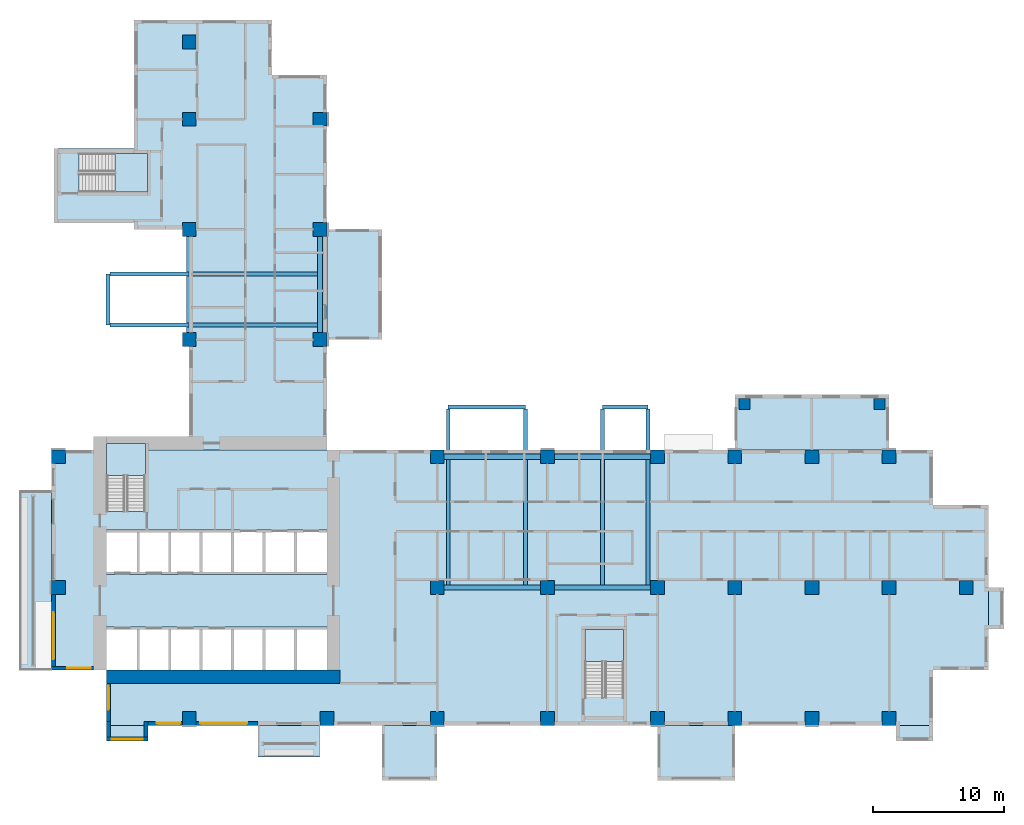
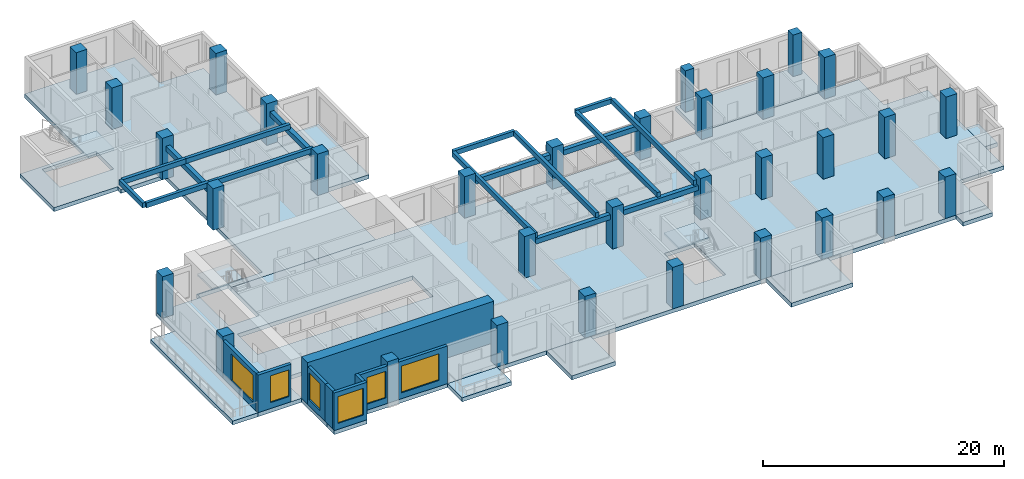
# One storey, part 1 of 14: 32 columns, 17 beams, 14 slabs, 9 walls, 6 windows, 6 openings, 3 elements without a shape of their own.
"""IFC4 building model written with IfcOpenShell, lengths in metres."""

import ifcopenshell
import ifcopenshell.guid

model = None  # the IFC model being written
_history = None  # IfcOwnerHistory: only IFC2X3 demands one
_inside = {}  # id of a spatial element -> (the spatial element, [elements in it])
_under = {}  # id of a project, library or spatial element -> (it, [spatial elements below it])
_declared = {}  # id of a project -> (the project, [libraries it declares])
_typed = {}  # id of a type object -> (the type object, [elements of that type])
_made_of = {}  # id of a material, layer set ... -> (it, [elements and type objects made of it])


def new_model(schema):
    """Start an empty IFC model of exactly this schema.

    Asked for "IFC4X3", IfcOpenShell would pick the latest addendum, in which some entities
    have other attributes; the version numbers below select the first issue.
    IFC2X3 requires an IfcOwnerHistory on every rooted entity: one is made here for all.
    """
    global model, _history
    if schema == "IFC4X3":
        model = ifcopenshell.file(schema_version=(4, 3, 0, 0))
    else:
        model = ifcopenshell.file(schema=schema)
    _inside.clear()
    _under.clear()
    _declared.clear()
    _typed.clear()
    _made_of.clear()
    _history = None
    if model.schema == "IFC2X3":
        org = make("IfcOrganization", Name="unknown")
        user = make(
            "IfcPersonAndOrganization",
            ThePerson=make("IfcPerson", FamilyName="unknown"),
            TheOrganization=org,
        )
        app = make(
            "IfcApplication",
            ApplicationDeveloper=org,
            Version="unknown",
            ApplicationFullName="unknown",
            ApplicationIdentifier="unknown",
        )
        _history = make(
            "IfcOwnerHistory",
            OwningUser=user,
            OwningApplication=app,
            ChangeAction="ADDED",
            CreationDate=0,
        )
    return model


def make(cls, **values):
    """One entity of the class cls with the attributes given. An attribute that is None is left unset."""
    return model.create_entity(
        cls, **{name: value for name, value in values.items() if value is not None}
    )


def rooted(cls, **values):
    """An entity with a GlobalId (a new one), such as an element, a storey or a relation."""
    return make(cls, GlobalId=ifcopenshell.guid.new(), OwnerHistory=_history, **values)


def si_unit(unit_type, name, prefix=None):
    """IfcSIUnit, for example si_unit("LENGTHUNIT", "METRE", prefix="MILLI")."""
    return make("IfcSIUnit", UnitType=unit_type, Prefix=prefix, Name=name)


def assignment(units):
    """IfcUnitAssignment: the units of a project."""
    return None if units is None else make("IfcUnitAssignment", Units=units)


def point(xyz):
    """IfcCartesianPoint."""
    return None if xyz is None else make("IfcCartesianPoint", Coordinates=xyz)


def direction(xyz):
    """IfcDirection."""
    return None if xyz is None else make("IfcDirection", DirectionRatios=xyz)


def frame(location, z_axis=None, x_axis=None):
    """IfcAxis2Placement3D, a coordinate frame: its origin and axes. An axis left out is left unset."""
    return make(
        "IfcAxis2Placement3D",
        Location=point(location),
        Axis=direction(z_axis),
        RefDirection=direction(x_axis),
    )


def frame_2d(location, x_axis=None):
    """IfcAxis2Placement2D, a coordinate frame in the plane: its origin and x axis."""
    return make(
        "IfcAxis2Placement2D", Location=point(location), RefDirection=direction(x_axis)
    )


def origin():
    """The frame at (0, 0, 0) with its axes left unset."""
    return frame((0.0, 0.0, 0.0))


def origin_2d():
    """The frame at (0, 0) in the plane with its x axis left unset."""
    return frame_2d((0.0, 0.0))


def place(relative_to, where):
    """IfcLocalPlacement: puts the frame where relative to a parent placement (None: the world)."""
    return make(
        "IfcLocalPlacement", PlacementRelTo=relative_to, RelativePlacement=where
    )


def context(
    kind, dimensions, precision=None, world=None, true_north=None, identifier=None
):
    """IfcGeometricRepresentationContext, for example the 3D "Model" context."""
    return make(
        "IfcGeometricRepresentationContext",
        ContextIdentifier=identifier,
        ContextType=kind,
        CoordinateSpaceDimension=dimensions,
        Precision=precision,
        WorldCoordinateSystem=world,
        TrueNorth=true_north,
    )


def subcontext(parent, identifier, kind, view, scale=None):
    """IfcGeometricRepresentationSubContext, for example "Body" below "Model"."""
    return make(
        "IfcGeometricRepresentationSubContext",
        ContextIdentifier=identifier,
        ContextType=kind,
        ParentContext=parent,
        TargetScale=scale,
        TargetView=view,
    )


def project(units=None, contexts=None):
    """IfcProject with its units and contexts."""
    return rooted(
        "IfcProject",
        Name="project",
        RepresentationContexts=contexts,
        UnitsInContext=assignment(units),
    )


def spatial(cls, under=None, at=None, **own):
    """A site, building, storey or space (cls), placed at a placement, below another one or the project."""
    s = rooted(cls, ObjectPlacement=at, **own)
    if under is not None:
        _under.setdefault(under.id(), (under, []))[1].append(s)
    return s


def polyline(points):
    """IfcPolyline through the points."""
    return make("IfcPolyline", Points=[point(p) for p in points])


def profile(cls, at=None, kind="AREA", **sizes):
    """A parametric profile (cls). Its sizes go by their IFC names, for example OverallWidth=200.0."""
    return make(cls, ProfileType=kind, Position=at, **sizes)


def rectangle(**sizes):
    """IfcRectangleProfileDef."""
    return profile("IfcRectangleProfileDef", **sizes)


def outline(outer, holes=None, kind="AREA"):
    """IfcArbitraryClosedProfileDef: a profile drawn as a closed curve; with holes, ...WithVoids."""
    if holes is None:
        return make("IfcArbitraryClosedProfileDef", ProfileType=kind, OuterCurve=outer)
    return make(
        "IfcArbitraryProfileDefWithVoids",
        ProfileType=kind,
        OuterCurve=outer,
        InnerCurves=holes,
    )


def extrude(swept, where, along, depth):
    """IfcExtrudedAreaSolid: the profile swept, set in the frame where, extruded along a direction by depth."""
    return make(
        "IfcExtrudedAreaSolid",
        SweptArea=swept,
        Position=where,
        ExtrudedDirection=direction(along),
        Depth=depth,
    )


def shape(context_of_items, identifier, shape_type, items):
    """IfcShapeRepresentation: the items that make up one representation, for example the "Body"."""
    return make(
        "IfcShapeRepresentation",
        ContextOfItems=context_of_items,
        RepresentationIdentifier=identifier,
        RepresentationType=shape_type,
        Items=items,
    )


def source(mapping_origin, context_of_items, identifier, shape_type, items):
    """IfcRepresentationMap: a shape defined once, which mapped items show again and again."""
    return make(
        "IfcRepresentationMap",
        MappingOrigin=mapping_origin,
        MappedRepresentation=shape(context_of_items, identifier, shape_type, items),
    )


def transform(
    local_origin,
    x_axis=None,
    y_axis=None,
    z_axis=None,
    scale=None,
    scale2=None,
    scale3=None,
    uniform=True,
):
    """IfcCartesianTransformationOperator3D, or its non-uniform kind. x_axis, y_axis, z_axis: its Axis1, 2, 3."""
    if uniform:
        return make(
            "IfcCartesianTransformationOperator3D",
            Axis1=direction(x_axis),
            Axis2=direction(y_axis),
            LocalOrigin=point(local_origin),
            Scale=scale,
            Axis3=direction(z_axis),
        )
    return make(
        "IfcCartesianTransformationOperator3DnonUniform",
        Axis1=direction(x_axis),
        Axis2=direction(y_axis),
        LocalOrigin=point(local_origin),
        Scale=scale,
        Axis3=direction(z_axis),
        Scale2=scale2,
        Scale3=scale3,
    )


def mapped(mapping_source, mapping_target):
    """IfcMappedItem: shows the shape of a source again, moved by a transform."""
    return make(
        "IfcMappedItem", MappingSource=mapping_source, MappingTarget=mapping_target
    )


def material(Name=None, Category=None):
    """IfcMaterial."""
    return make("IfcMaterial", Name=Name, Category=Category)


def layer(
    of_material, thickness, ventilated=None, Name=None, Category=None, Priority=None
):
    """IfcMaterialLayer: one layer of a wall or slab, of a material (None: an air gap)."""
    return make(
        "IfcMaterialLayer",
        Material=of_material,
        LayerThickness=thickness,
        IsVentilated=ventilated,
        Name=Name,
        Category=Category,
        Priority=Priority,
    )


def layer_set(layers, Name=None):
    """IfcMaterialLayerSet."""
    return make("IfcMaterialLayerSet", MaterialLayers=layers, LayerSetName=Name)


def material_profile(
    of_material, cross_section, Name=None, Category=None, Priority=None
):
    """IfcMaterialProfile: a cross section and its material."""
    return make(
        "IfcMaterialProfile",
        Name=Name,
        Material=of_material,
        Profile=cross_section,
        Priority=Priority,
        Category=Category,
    )


def profile_set(profiles, Name=None, composite=None):
    """IfcMaterialProfileSet."""
    return make(
        "IfcMaterialProfileSet",
        Name=Name,
        MaterialProfiles=profiles,
        CompositeProfile=composite,
    )


def made_of(thing, what):
    """Note that an element or type object is made of a material, layer set ...; save() writes the relation."""
    if what is not None:
        _made_of.setdefault(what.id(), (what, []))[1].append(thing)
    return thing


def type_object(cls, material=None, **own):
    """A type object (cls), such as IfcWallType, which elements share."""
    return made_of(rooted(cls, **own), material)


def element(
    cls,
    number,
    at=None,
    inside=None,
    cuts=None,
    type_object=None,
    material=None,
    context=None,
    identifier="Body",
    shape_type=None,
    held_by="IfcProductDefinitionShape",
    body=None,
    shapes=None,
    **own,
):
    """One element of the class cls, such as IfcWall. Its Tag is "e" and its number.

    at: its placement. inside: the storey or other place that contains it. cuts: it is an
    opening in that element (IfcRelVoidsElement). A single representation is given by context,
    identifier, shape_type and body (its items); several are given by shapes. held_by: the class
    of the entity that holds the representations. save() writes the other relations.
    """
    e = rooted(cls, Tag="e%d" % number, ObjectPlacement=at, **own)
    if body is not None:
        shapes = [shape(context, identifier, shape_type, body)]
    if shapes is not None:
        e.Representation = make(held_by, Representations=shapes)
    if inside is not None:
        _inside.setdefault(inside.id(), (inside, []))[1].append(e)
    if cuts is not None:
        rooted(
            "IfcRelVoidsElement", RelatingBuildingElement=cuts, RelatedOpeningElement=e
        )
    if type_object is not None:
        _typed.setdefault(type_object.id(), (type_object, []))[1].append(e)
    return made_of(e, material)


def fill(opening, filler):
    """IfcRelFillsElement: the door or window that sits in an opening."""
    return rooted(
        "IfcRelFillsElement",
        RelatingOpeningElement=opening,
        RelatedBuildingElement=filler,
    )


def aggregate(whole, parts):
    """IfcRelAggregates: a whole, such as a stair, and the parts it consists of."""
    return rooted("IfcRelAggregates", RelatingObject=whole, RelatedObjects=parts)


def save(model, path):
    """Write the relations noted so far, then the file.

    IfcRelAggregates (storeys below a building ...), IfcRelContainedInSpatialStructure (elements
    in a storey), IfcRelDefinesByType, IfcRelAssociatesMaterial and IfcRelDeclares: one each for
    every whole, place, type object, material and project.
    """
    for whole, parts in _under.values():
        aggregate(whole, parts)
    for where, things in _inside.values():
        rooted(
            "IfcRelContainedInSpatialStructure",
            RelatedElements=things,
            RelatingStructure=where,
        )
    for kind, things in _typed.values():
        rooted("IfcRelDefinesByType", RelatedObjects=things, RelatingType=kind)
    for what, things in _made_of.values():
        rooted("IfcRelAssociatesMaterial", RelatedObjects=things, RelatingMaterial=what)
    for by, libraries in _declared.values():
        rooted("IfcRelDeclares", RelatingContext=by, RelatedDefinitions=libraries)
    model.write(path)


model = new_model("IFC4")

# Units and contexts
model_context = context("Model", 3, precision=1e-05, world=origin(), true_north=direction((0.0, 1.0)))
body_context = subcontext(model_context, "Body", "Model", "MODEL_VIEW")
ifc_project = project(units=[si_unit("LENGTHUNIT", "METRE"), si_unit("AREAUNIT", "SQUARE_METRE"), si_unit("VOLUMEUNIT", "CUBIC_METRE"), si_unit("PLANEANGLEUNIT", "RADIAN"), si_unit("MASSUNIT", "GRAM", prefix="KILO")], contexts=[model_context])

# Site, building, storey
site_placement = place(None, origin())
site = spatial("IfcSite", under=ifc_project, at=site_placement, CompositionType="ELEMENT")
building_placement = place(site_placement, origin())
building = spatial("IfcBuilding", under=site, at=building_placement, Name="Aurelian Terraces", CompositionType="ELEMENT")
storey_placement = place(building_placement, frame((0.0, 0.0, 132.9)))
storey = spatial("IfcBuildingStorey", under=building, at=storey_placement, Name="L29", CompositionType="ELEMENT", Elevation=132.9)

# Columns
ifc_material_1 = material(Name="Concrete fc' 83 MPa", Category="concrete")
ifc_material_profile_1 = material_profile(ifc_material_1, rectangle(XDim=1.05, YDim=1.05, at=origin_2d()))
ifc_profile_set_1 = profile_set([ifc_material_profile_1], Name="Concrete fc' 83 MPa")
column_type_1 = type_object("IfcColumnType", Name="RC COLUMN 1050X1050 FC83", PredefinedType="COLUMN", material=ifc_profile_set_1)
shared_shape_1 = source(origin(), body_context, "Body", "SweptSolid", [
    extrude(rectangle(XDim=1.05, YDim=1.05, at=origin_2d()), origin(), (0.0, 0.0, 1.0), 4.2),
])
for number, where, z_axis, x_axis, name in (
    (1, (10.5, 0.525, 0.0), (0.0, 0.0, 1.0), (1.0, 0.0, 0.0), "Column 2/A L29"),
    (2, (21.0, 0.525, 0.0), (0.0, 0.0, 1.0), (1.0, 0.0, 0.0), "Column 3/A L29"),
    (3, (29.4, 0.525, 0.0), (0.0, 0.0, 1.0), (1.0, 0.0, 0.0), "Column 4/A L29"),
    (4, (37.8, 0.525, 0.0), (0.0, 0.0, 1.0), (1.0, 0.0, 0.0), "Column 5/A L29"),
    (5, (46.2, 0.525, 0.0), (0.0, 0.0, 1.0), (1.0, 0.0, 0.0), "Column 6/A L29"),
    (6, (52.08, 0.525, 0.0), (0.0, 0.0, 1.0), (1.0, 0.0, 0.0), "Column 7/A L29"),
    (7, (57.96, 0.525, 0.0), (0.0, 0.0, 1.0), (1.0, 0.0, 0.0), "Column 8/A L29"),
    (8, (63.84, 0.525, 0.0), (0.0, 0.0, 1.0), (1.0, 0.0, 0.0), "Column 9/A L29"),
    (9, (0.525, 10.5, 0.0), (0.0, 0.0, 1.0), (1.0, 0.0, 0.0), "Column 1/B L29"),
    (10, (29.4, 10.5, 0.0), (0.0, 0.0, 1.0), (1.0, 0.0, 0.0), "Column 4/B L29"),
    (11, (37.8, 10.5, 0.0), (0.0, 0.0, 1.0), (1.0, 0.0, 0.0), "Column 5/B L29"),
    (12, (46.2, 10.5, 0.0), (0.0, 0.0, 1.0), (1.0, 0.0, 0.0), "Column 6/B L29"),
    (13, (52.08, 10.5, 0.0), (0.0, 0.0, 1.0), (1.0, 0.0, 0.0), "Column 7/B L29"),
    (14, (57.96, 10.5, 0.0), (0.0, 0.0, 1.0), (1.0, 0.0, 0.0), "Column 8/B L29"),
    (15, (63.84, 10.5, 0.0), (0.0, 0.0, 1.0), (1.0, 0.0, 0.0), "Column 9/B L29"),
    (16, (69.72, 10.5, 0.0), (0.0, 0.0, 1.0), (1.0, 0.0, 0.0), "Column 10/B L29"),
    (17, (0.525, 20.475, 0.0), (0.0, 0.0, 1.0), (1.0, 0.0, 0.0), "Column 1/C L29"),
    (18, (29.4, 20.475, 0.0), (0.0, 0.0, 1.0), (1.0, 0.0, 0.0), "Column 4/C L29"),
    (19, (37.8, 20.475, 0.0), (0.0, 0.0, 1.0), (1.0, 0.0, 0.0), "Column 5/C L29"),
    (20, (46.2, 20.475, 0.0), (0.0, 0.0, 1.0), (1.0, 0.0, 0.0), "Column 6/C L29"),
    (21, (52.08, 20.475, 0.0), (0.0, 0.0, 1.0), (1.0, 0.0, 0.0), "Column 7/C L29"),
    (22, (57.96, 20.475, 0.0), (0.0, 0.0, 1.0), (1.0, 0.0, 0.0), "Column 8/C L29"),
    (23, (63.84, 20.475, 0.0), (0.0, 0.0, 1.0), (1.0, 0.0, 0.0), "Column 9/C L29"),
    (24, (10.5, 29.4, 0.0), (0.0, 0.0, 1.0), (1.0, 0.0, 0.0), "Column 2/D L29"),
    (25, (20.475, 29.4, 0.0), (0.0, 0.0, 1.0), (1.0, 0.0, 0.0), "Column 3/D L29"),
    (26, (10.5, 37.8, 0.0), (0.0, 0.0, 1.0), (1.0, 0.0, 0.0), "Column 2/E L29"),
    (27, (20.475, 37.8, 0.0), (0.0, 0.0, 1.0), (1.0, 0.0, 0.0), "Column 3/E L29"),
    (28, (10.5, 46.2, 0.0), (0.0, 0.0, 1.0), (1.0, 0.0, 0.0), "Column 2/F L29"),
    (29, (20.475, 46.2, 0.0), (0.0, 0.0, 1.0), (1.0, 0.0, 0.0), "Column 3/F L29"),
    (30, (10.5, 52.08, 0.0), (0.0, 0.0, 1.0), (1.0, 0.0, 0.0), "Column 2/G L29"),
):
    element("IfcColumn", number, at=place(storey_placement, frame(where, z_axis=z_axis, x_axis=x_axis)), inside=storey, type_object=column_type_1, Name=name, PredefinedType="COLUMN", context=body_context, shape_type="MappedRepresentation", body=[
        mapped(shared_shape_1, transform((0.0, 0.0, 0.0), scale=1.0)),
    ])
ifc_material_2 = material(Name="Concrete fc' 55 MPa", Category="concrete")
ifc_material_profile_2 = material_profile(ifc_material_2, rectangle(XDim=0.84, YDim=0.84, at=origin_2d()))
ifc_profile_set_2 = profile_set([ifc_material_profile_2], Name="Concrete fc' 55 MPa")
column_type_2 = type_object("IfcColumnType", Name="BLOCK CORNER PIER 840X840", PredefinedType="COLUMN", material=ifc_profile_set_2)
shared_shape_2 = source(origin(), body_context, "Body", "SweptSolid", [
    extrude(rectangle(XDim=0.84, YDim=0.84, at=origin_2d()), origin(), (0.0, 0.0, 1.0), 4.2),
])
for number, where, z_axis, x_axis, name in (
    (31, (52.805, 24.48, 0.0), (0.0, 0.0, 1.0), (1.0, 0.0, 0.0), "Block pier K02.1 L29"),
    (32, (63.115, 24.48, 0.0), (0.0, 0.0, 1.0), (1.0, 0.0, 0.0), "Block pier K02.2 L29"),
):
    element("IfcColumn", number, at=place(storey_placement, frame(where, z_axis=z_axis, x_axis=x_axis)), inside=storey, type_object=column_type_2, Name=name, PredefinedType="COLUMN", context=body_context, shape_type="MappedRepresentation", body=[
        mapped(shared_shape_2, transform((0.0, 0.0, 0.0), scale=1.0)),
    ])

# Beams
ifc_material_3 = material(Name="Concrete fc' 40 MPa", Category="concrete")
ifc_material_profile_3 = material_profile(ifc_material_3, rectangle(XDim=0.3, YDim=0.5, at=origin_2d()))
ifc_profile_set_3 = profile_set([ifc_material_profile_3], Name="Concrete fc' 40 MPa")
beam_type_1 = type_object("IfcBeamType", Name="CONCRETE CANTILEVER BEAM 300X500", PredefinedType="BEAM", material=ifc_profile_set_3)
shared_shape_3 = source(origin(), body_context, "Body", "SweptSolid", [
    extrude(rectangle(XDim=0.3, YDim=0.5, at=origin_2d()), origin(), (0.0, 0.0, 1.0), 5.88),
])
beam_1_placement = place(storey_placement, frame((30.24, 24.275, 3.55), z_axis=(1.0, 0.0, 0.0), x_axis=(0.0, 1.0, 0.0)))
element("IfcBeam", 33, at=beam_1_placement, inside=storey, type_object=beam_type_1, Name="Box tip beam J42", PredefinedType="BEAM", context=body_context, shape_type="MappedRepresentation", body=[
    mapped(shared_shape_3, transform((0.0, 0.0, 0.0), scale=1.0)),
])
shared_shape_4 = source(origin(), body_context, "Body", "SweptSolid", [
    extrude(rectangle(XDim=0.3, YDim=0.5, at=origin_2d()), origin(), (0.0, 0.0, 1.0), 13.625),
])
for number, where, z_axis, x_axis, name in (
    (34, (30.24, 24.125, 3.55), (0.0, -1.0, 0.0), (1.0, 0.0, 0.0), "Box cantilever beam J42.1"),
    (35, (36.12, 24.125, 3.55), (0.0, -1.0, 0.0), (1.0, 0.0, 0.0), "Box cantilever beam J42.2"),
    (36, (42.0, 24.125, 3.55), (0.0, -1.0, 0.0), (1.0, 0.0, 0.0), "Box cantilever beam J43.1"),
    (37, (45.475, 24.125, 3.55), (0.0, -1.0, 0.0), (1.0, 0.0, 0.0), "Box cantilever beam J43.2"),
):
    element("IfcBeam", number, at=place(storey_placement, frame(where, z_axis=z_axis, x_axis=x_axis)), inside=storey, type_object=beam_type_1, Name=name, PredefinedType="BEAM", context=body_context, shape_type="MappedRepresentation", body=[
        mapped(shared_shape_4, transform((0.0, 0.0, 0.0), scale=1.0)),
    ])
ifc_material_profile_4 = material_profile(ifc_material_3, rectangle(XDim=0.4, YDim=0.5, at=origin_2d()))
ifc_profile_set_4 = profile_set([ifc_material_profile_4], Name="Concrete fc' 40 MPa")
beam_type_2 = type_object("IfcBeamType", Name="CONCRETE EDGE GIRDER 400X500", PredefinedType="BEAM", material=ifc_profile_set_4)
shared_shape_5 = source(origin(), body_context, "Body", "SweptSolid", [
    extrude(rectangle(XDim=0.4, YDim=0.5, at=origin_2d()), origin(), (0.0, 0.0, 1.0), 7.35),
])
for number, where, z_axis, x_axis, name in (
    (38, (29.925, 20.475, 3.05), (1.0, 0.0, 0.0), (0.0, 1.0, 0.0), "Box girder L29 O87"),
    (39, (29.925, 10.5, 3.05), (1.0, 0.0, 0.0), (0.0, 1.0, 0.0), "Box girder L29 I88"),
    (40, (38.325, 20.475, 3.05), (1.0, 0.0, 0.0), (0.0, 1.0, 0.0), "Box girder L29 O89"),
    (41, (38.325, 10.5, 3.05), (1.0, 0.0, 0.0), (0.0, 1.0, 0.0), "Box girder L29 I90"),
    (42, (10.5, 29.925, 3.05), (0.0, 1.0, 0.0), (-1.0, 0.0, 0.0), "Box girder L29 O91"),
    (43, (20.475, 29.925, 3.05), (0.0, 1.0, 0.0), (-1.0, 0.0, 0.0), "Box girder L29 I92"),
):
    element("IfcBeam", number, at=place(storey_placement, frame(where, z_axis=z_axis, x_axis=x_axis)), inside=storey, type_object=beam_type_2, Name=name, PredefinedType="BEAM", context=body_context, shape_type="MappedRepresentation", body=[
        mapped(shared_shape_5, transform((0.0, 0.0, 0.0), scale=1.0)),
    ])
shared_shape_6 = source(origin(), body_context, "Body", "SweptSolid", [
    extrude(rectangle(XDim=0.3, YDim=0.5, at=origin_2d()), origin(), (0.0, 0.0, 1.0), 3.475),
])
beam_2_placement = place(storey_placement, frame((42.0, 24.275, 3.55), z_axis=(1.0, 0.0, 0.0), x_axis=(0.0, 1.0, 0.0)))
element("IfcBeam", 44, at=beam_2_placement, inside=storey, type_object=beam_type_1, Name="Box tip beam J43", PredefinedType="BEAM", context=body_context, shape_type="MappedRepresentation", body=[
    mapped(shared_shape_6, transform((0.0, 0.0, 0.0), scale=1.0)),
])
ifc_material_profile_5 = material_profile(ifc_material_3, rectangle(XDim=0.3, YDim=0.5, at=origin_2d()))
ifc_profile_set_5 = profile_set([ifc_material_profile_5], Name="Concrete fc' 40 MPa")
beam_type_3 = type_object("IfcBeamType", Name="CONCRETE BOX CANTILEVER BEAM 300X500", PredefinedType="BEAM", material=ifc_profile_set_5)
shared_shape_7 = source(origin(), body_context, "Body", "SweptSolid", [
    extrude(rectangle(XDim=0.3, YDim=0.5, at=origin_2d()), origin(), (0.0, 0.0, 1.0), 6.05),
])
for number, where, z_axis, x_axis, name in (
    (45, (4.45, 30.5, 3.55), (1.0, 0.0, 0.0), (0.0, 1.0, 0.0), "Box cantilever beam J44.1"),
    (46, (4.45, 34.4, 3.55), (1.0, 0.0, 0.0), (0.0, 1.0, 0.0), "Box cantilever beam J44.2"),
):
    element("IfcBeam", number, at=place(storey_placement, frame(where, z_axis=z_axis, x_axis=x_axis)), inside=storey, type_object=beam_type_3, Name=name, PredefinedType="BEAM", context=body_context, shape_type="MappedRepresentation", body=[
        mapped(shared_shape_7, transform((0.0, 0.0, 0.0), scale=1.0)),
    ])
shared_shape_8 = source(origin(), body_context, "Body", "SweptSolid", [
    extrude(rectangle(XDim=0.3, YDim=0.5, at=origin_2d()), origin(), (0.0, 0.0, 1.0), 9.975),
])
for number, where, z_axis, x_axis, name in (
    (47, (10.5, 30.5, 3.55), (1.0, 0.0, 0.0), (0.0, 1.0, 0.0), "Box back-span beam J44.1"),
    (48, (10.5, 34.4, 3.55), (1.0, 0.0, 0.0), (0.0, 1.0, 0.0), "Box back-span beam J44.2"),
):
    element("IfcBeam", number, at=place(storey_placement, frame(where, z_axis=z_axis, x_axis=x_axis)), inside=storey, type_object=beam_type_1, Name=name, PredefinedType="BEAM", context=body_context, shape_type="MappedRepresentation", body=[
        mapped(shared_shape_8, transform((0.0, 0.0, 0.0), scale=1.0)),
    ])
shared_shape_9 = source(origin(), body_context, "Body", "SweptSolid", [
    extrude(rectangle(XDim=0.3, YDim=0.5, at=origin_2d()), origin(), (0.0, 0.0, 1.0), 3.9),
])
beam_3_placement = place(storey_placement, frame((4.3, 30.5, 3.55), z_axis=(0.0, 1.0, 0.0), x_axis=(-1.0, 0.0, 0.0)))
element("IfcBeam", 49, at=beam_3_placement, inside=storey, type_object=beam_type_1, Name="Box tip beam J44", PredefinedType="BEAM", context=body_context, shape_type="MappedRepresentation", body=[
    mapped(shared_shape_9, transform((0.0, 0.0, 0.0), scale=1.0)),
])

# Slabs
ifc_layer_1 = layer(ifc_material_3, 0.4)
ifc_layer_set_1 = layer_set([ifc_layer_1], Name="PT FLAT PLATE 400")
slab_type_1 = type_object("IfcSlabType", Name="PT FLAT PLATE 400", PredefinedType="FLOOR", material=ifc_layer_set_1)
shared_shape_10 = source(origin(), body_context, "Body", "SweptSolid", [
    extrude(outline(polyline([(67.2, 16.8), (71.4, 16.8), (71.4, 4.2), (67.2, 4.2), (67.2, 0.0), (21.0, 0.0), (4.2, 0.0), (4.2, 4.2), (0.0, 4.2), (0.0, 21.0), (4.21, 21.0), (4.21, 16.31), (7.14, 16.31), (7.14, 21.0), (21.0, 21.0), (67.2, 21.0), (67.2, 16.8)]), holes=[polyline([(40.66, 2.11), (43.59, 2.11), (43.59, 7.29), (40.66, 7.29), (40.66, 2.11)]), polyline([(4.21, 7.49), (4.21, 4.21), (20.99, 4.21), (20.99, 7.49), (4.21, 7.49)]), polyline([(4.21, 14.89), (4.21, 11.51), (20.99, 11.51), (20.99, 14.89), (4.21, 14.89)])]), origin(), (0.0, 0.0, 1.0), 0.4),
])
slab_1_placement = place(storey_placement, frame((0.0, 0.0, -0.4)))
element("IfcSlab", 50, at=slab_1_placement, inside=storey, type_object=slab_type_1, Name="Floor slab S L29", PredefinedType="FLOOR", context=body_context, shape_type="MappedRepresentation", body=[
    mapped(shared_shape_10, transform((0.0, 0.0, 0.0), scale=1.0)),
])
shared_shape_11 = source(origin(), body_context, "Body", "SweptSolid", [
    extrude(outline(polyline([(6.3, 43.95), (6.3, 49.56), (6.3, 53.76), (10.5, 53.76), (16.8, 53.76), (16.8, 49.56), (21.0, 49.56), (21.0, 21.0), (7.14, 21.0), (7.14, 21.49), (4.21, 21.49), (4.21, 21.0), (4.2, 21.0), (4.2, 21.6), (6.3, 21.6), (10.5, 21.6), (10.5, 37.8), (6.3, 37.8), (6.3, 38.3), (0.2, 38.3), (0.2, 43.95), (6.3, 43.95)]), holes=[polyline([(7.29, 43.59), (2.11, 43.59), (2.11, 40.66), (7.29, 40.66), (7.29, 43.59)])]), origin(), (0.0, 0.0, 1.0), 0.4),
])
slab_2_placement = place(storey_placement, frame((0.0, 0.0, -0.4)))
element("IfcSlab", 51, at=slab_2_placement, inside=storey, type_object=slab_type_1, Name="Floor slab W L29", PredefinedType="FLOOR", context=body_context, shape_type="MappedRepresentation", body=[
    mapped(shared_shape_11, transform((0.0, 0.0, 0.0), scale=1.0)),
])
ifc_layer_2 = layer(ifc_material_3, 0.41)
ifc_layer_set_2 = layer_set([ifc_layer_2], Name="Box floor 410")
slab_type_2 = type_object("IfcSlabType", Name="Box floor 410", PredefinedType="NOTDEFINED", material=ifc_layer_set_2)
shared_shape_12 = source(origin(), body_context, "Body", "SweptSolid", [
    extrude(outline(polyline([(46.2, -4.2), (52.08, -4.2), (52.08, 0.0), (46.2, 0.0), (46.2, -4.2)])), origin(), (0.0, 0.0, 1.0), 0.41),
])
slab_3_placement = place(storey_placement, frame((0.0, 0.0, -0.41)))
element("IfcSlab", 52, at=slab_3_placement, inside=storey, type_object=slab_type_2, Name="Box floor L29 J40", PredefinedType="NOTDEFINED", context=body_context, shape_type="MappedRepresentation", body=[
    mapped(shared_shape_12, transform((0.0, 0.0, 0.0), scale=1.0)),
])
ifc_layer_3 = layer(ifc_material_3, 0.4)
ifc_layer_set_3 = layer_set([ifc_layer_3], Name="Bay floor 400")
slab_type_3 = type_object("IfcSlabType", Name="Bay floor 400", PredefinedType="NOTDEFINED", material=ifc_layer_set_3)
shared_shape_13 = source(origin(), body_context, "Body", "SweptSolid", [
    extrude(outline(polyline([(71.4, 7.35), (71.4, 10.5), (72.6, 10.5), (72.6, 7.35), (71.4, 7.35)])), origin(), (0.0, 0.0, 1.0), 0.4),
])
slab_4_placement = place(storey_placement, frame((0.0, 0.0, -0.4)))
element("IfcSlab", 53, at=slab_4_placement, inside=storey, type_object=slab_type_3, Name="Bay floor L29 F04.16", PredefinedType="NOTDEFINED", context=body_context, shape_type="MappedRepresentation", body=[
    mapped(shared_shape_13, transform((0.0, 0.0, 0.0), scale=1.0)),
])
shared_shape_14 = source(origin(), body_context, "Body", "SweptSolid", [
    extrude(outline(polyline([(25.2, 29.4), (25.2, 37.8), (21.0, 37.8), (21.0, 29.4), (25.2, 29.4)])), origin(), (0.0, 0.0, 1.0), 0.41),
])
slab_5_placement = place(storey_placement, frame((0.0, 0.0, -0.41)))
element("IfcSlab", 54, at=slab_5_placement, inside=storey, type_object=slab_type_2, Name="Box floor L29 J41", PredefinedType="NOTDEFINED", context=body_context, shape_type="MappedRepresentation", body=[
    mapped(shared_shape_14, transform((0.0, 0.0, 0.0), scale=1.0)),
])
shared_shape_15 = source(origin(), body_context, "Body", "SweptSolid", [
    extrude(outline(polyline([(4.2, 0.0), (7.35, 0.0), (7.35, -1.2), (4.2, -1.2), (4.2, 0.0)])), origin(), (0.0, 0.0, 1.0), 0.4),
])
slab_6_placement = place(storey_placement, frame((0.0, 0.0, -0.4)))
element("IfcSlab", 55, at=slab_6_placement, inside=storey, type_object=slab_type_3, Name="Bay floor L29 F01.1", PredefinedType="NOTDEFINED", context=body_context, shape_type="MappedRepresentation", body=[
    mapped(shared_shape_15, transform((0.0, 0.0, 0.0), scale=1.0)),
])
shared_shape_16 = source(origin(), body_context, "Body", "SweptSolid", [
    extrude(outline(polyline([(25.2, -4.2), (29.4, -4.2), (29.4, 0.0), (25.2, 0.0), (25.2, -4.2)])), origin(), (0.0, 0.0, 1.0), 0.41),
])
slab_7_placement = place(storey_placement, frame((0.0, 0.0, -0.41)))
element("IfcSlab", 56, at=slab_7_placement, inside=storey, type_object=slab_type_2, Name="Box floor L29 J39", PredefinedType="NOTDEFINED", context=body_context, shape_type="MappedRepresentation", body=[
    mapped(shared_shape_16, transform((0.0, 0.0, 0.0), scale=1.0)),
])
ifc_layer_4 = layer(ifc_material_3, 0.4)
ifc_layer_set_4 = layer_set([ifc_layer_4], Name="Balcony slab 400")
slab_type_4 = type_object("IfcSlabType", Name="Balcony slab 400", PredefinedType="NOTDEFINED", material=ifc_layer_set_4)
shared_shape_17 = source(origin(), body_context, "Body", "SweptSolid", [
    extrude(outline(polyline([(0.0, 17.85), (0.0, 4.2), (-2.4, 4.2), (-2.4, 17.85), (0.0, 17.85)])), origin(), (0.0, 0.0, 1.0), 0.4),
])
slab_8_placement = place(storey_placement, frame((0.0, 0.0, -0.4)))
element("IfcSlab", 57, at=slab_8_placement, inside=storey, type_object=slab_type_4, Name="Balcony slab L29 F22.41", PredefinedType="NOTDEFINED", context=body_context, shape_type="MappedRepresentation", body=[
    mapped(shared_shape_17, transform((0.0, 0.0, 0.0), scale=1.0)),
])
shared_shape_18 = source(origin(), body_context, "Body", "SweptSolid", [
    extrude(outline(polyline([(63.84, 25.2), (52.08, 25.2), (52.08, 21.0), (63.84, 21.0), (63.84, 25.2)])), origin(), (0.0, 0.0, 1.0), 0.41),
])
slab_9_placement = place(storey_placement, frame((0.0, 0.0, -0.41)))
element("IfcSlab", 58, at=slab_9_placement, inside=storey, type_object=slab_type_2, Name="Box floor L29 K02", PredefinedType="NOTDEFINED", context=body_context, shape_type="MappedRepresentation", body=[
    mapped(shared_shape_18, transform((0.0, 0.0, 0.0), scale=1.0)),
])
shared_shape_19 = source(origin(), body_context, "Body", "SweptSolid", [
    extrude(outline(polyline([(64.365, 0.0), (67.2, 0.0), (67.2, -1.2), (64.365, -1.2), (64.365, 0.0)])), origin(), (0.0, 0.0, 1.0), 0.4),
])
slab_10_placement = place(storey_placement, frame((0.0, 0.0, -0.4)))
element("IfcSlab", 59, at=slab_10_placement, inside=storey, type_object=slab_type_3, Name="Bay floor L29 F01.11", PredefinedType="NOTDEFINED", context=body_context, shape_type="MappedRepresentation", body=[
    mapped(shared_shape_19, transform((0.0, 0.0, 0.0), scale=1.0)),
])
shared_shape_20 = source(origin(), body_context, "Body", "SweptSolid", [
    extrude(outline(polyline([(15.75, 0.0), (20.475, 0.0), (20.475, -2.4), (15.75, -2.4), (15.75, 0.0)])), origin(), (0.0, 0.0, 1.0), 0.4),
])
slab_11_placement = place(storey_placement, frame((0.0, 0.0, -0.4)))
element("IfcSlab", 60, at=slab_11_placement, inside=storey, type_object=slab_type_4, Name="Balcony slab L29 F01.4", PredefinedType="NOTDEFINED", context=body_context, shape_type="MappedRepresentation", body=[
    mapped(shared_shape_20, transform((0.0, 0.0, 0.0), scale=1.0)),
])

# Stair, slab
stair_type = type_object("IfcStairType", Name="Stair 1400", PredefinedType="HALF_TURN_STAIR", material=ifc_material_3)
stair_1_placement = place(storey_placement, origin())
stair_1 = element("IfcStair", 61, at=stair_1_placement, inside=storey, type_object=stair_type, Name="L29 S1", PredefinedType="HALF_TURN_STAIR")
ifc_layer_5 = layer(ifc_material_3, 0.2)
ifc_layer_set_5 = layer_set([ifc_layer_5], Name="Stair landing 200")
slab_type_5 = type_object("IfcSlabType", Name="Stair landing 200", PredefinedType="LANDING", material=ifc_layer_set_5)
shared_shape_21 = source(origin(), body_context, "Body", "SweptSolid", [
    extrude(outline(polyline([(7.15, 19.05), (7.15, 21.5), (4.2, 21.5), (4.2, 19.05), (7.15, 19.05)])), origin(), (0.0, 0.0, 1.0), 0.2),
])
slab_12_placement = place(storey_placement, frame((0.0, 0.0, 1.9)))
slab_12 = element("IfcSlab", 62, at=slab_12_placement, type_object=slab_type_5, Name="S1 landing 1", PredefinedType="LANDING", context=body_context, shape_type="MappedRepresentation", body=[
    mapped(shared_shape_21, transform((0.0, 0.0, 0.0), scale=1.0)),
])
aggregate(stair_1, [slab_12])

stair_2_placement = place(storey_placement, origin())
stair_2 = element("IfcStair", 63, at=stair_2_placement, inside=storey, type_object=stair_type, Name="L29 S2", PredefinedType="HALF_TURN_STAIR")
shared_shape_22 = source(origin(), body_context, "Body", "SweptSolid", [
    extrude(outline(polyline([(43.6, 4.85), (43.6, 7.3), (40.65, 7.3), (40.65, 4.85), (43.6, 4.85)])), origin(), (0.0, 0.0, 1.0), 0.2),
])
slab_13_placement = place(storey_placement, frame((0.0, 0.0, 1.9)))
slab_13 = element("IfcSlab", 64, at=slab_13_placement, type_object=slab_type_5, Name="S2 landing 1", PredefinedType="LANDING", context=body_context, shape_type="MappedRepresentation", body=[
    mapped(shared_shape_22, transform((0.0, 0.0, 0.0), scale=1.0)),
])
aggregate(stair_2, [slab_13])

stair_3_placement = place(storey_placement, origin())
stair_3 = element("IfcStair", 65, at=stair_3_placement, inside=storey, type_object=stair_type, Name="L29 S3", PredefinedType="HALF_TURN_STAIR")
shared_shape_23 = source(origin(), body_context, "Body", "SweptSolid", [
    extrude(outline(polyline([(4.85, 40.65), (7.3, 40.65), (7.3, 43.6), (4.85, 43.6), (4.85, 40.65)])), origin(), (0.0, 0.0, 1.0), 0.2),
])
slab_14_placement = place(storey_placement, frame((0.0, 0.0, 1.9)))
slab_14 = element("IfcSlab", 66, at=slab_14_placement, type_object=slab_type_5, Name="S3 landing 1", PredefinedType="LANDING", context=body_context, shape_type="MappedRepresentation", body=[
    mapped(shared_shape_23, transform((0.0, 0.0, 0.0), scale=1.0)),
])
aggregate(stair_3, [slab_14])

# Wall
ifc_layer_6 = layer(ifc_material_1, 1.0)
ifc_layer_set_6 = layer_set([ifc_layer_6], Name="CORE WALL 1000 FC83")
wall_type_1 = type_object("IfcWallType", Name="CORE WALL 1000 FC83", PredefinedType="SHEAR", material=ifc_layer_set_6)
shared_shape_24 = source(origin(), body_context, "Body", "SweptSolid", [
    extrude(rectangle(XDim=17.8, YDim=1.0, at=frame_2d((8.9, 0.0))), origin(), (0.0, 0.0, 1.0), 4.2),
])
wall_1_placement = place(storey_placement, frame((4.2, 3.7, 0.0), z_axis=(0.0, 0.0, 1.0), x_axis=(1.0, 0.0, 0.0)))
element("IfcWall", 67, at=wall_1_placement, inside=storey, type_object=wall_type_1, Name="Core wall S L29", PredefinedType="SHEAR", context=body_context, shape_type="MappedRepresentation", body=[
    mapped(shared_shape_24, transform((0.0, 0.0, 0.0), scale=1.0)),
])

# Wall, opening, window
ifc_material_4 = material(Name="Terracotta rainscreen cladding", Category="masonry")
ifc_layer_7 = layer(ifc_material_4, 0.3)
ifc_layer_set_7 = layer_set([ifc_layer_7], Name="EW-300")
wall_type_2 = type_object("IfcWallType", Name="EW-300", PredefinedType="STANDARD", material=ifc_layer_set_7)
shared_shape_25 = source(origin(), body_context, "Body", "SweptSolid", [
    extrude(rectangle(XDim=3.15, YDim=0.3, at=frame_2d((1.575, 0.0))), origin(), (0.0, 0.0, 1.0), 3.8),
])
wall_2_placement = place(storey_placement, frame((4.2, -1.05, 0.0), z_axis=(0.0, 0.0, 1.0), x_axis=(1.0, 0.0, 0.0)))
wall_2 = element("IfcWall", 68, at=wall_2_placement, inside=storey, type_object=wall_type_2, Name="Bay wall L29 F01.1", PredefinedType="STANDARD", context=body_context, shape_type="MappedRepresentation", body=[
    mapped(shared_shape_25, transform((0.0, 0.0, 0.0), scale=1.0)),
])
shared_shape_26 = source(origin(), body_context, "Body", "SweptSolid", [
    extrude(rectangle(XDim=2.4, YDim=2.7, at=frame_2d((1.2, 1.35))), frame((0.0, 0.16, 0.0), z_axis=(0.0, -1.0, 0.0), x_axis=(1.0, 0.0, 0.0)), (0.0, 0.0, 1.0), 0.32),
])
opening_1_placement = place(wall_2_placement, frame((0.375, 0.0, 0.6)))
opening_1 = element("IfcOpeningElement", 69, at=opening_1_placement, cuts=wall_2, Name="Opening W2427", PredefinedType="OPENING", context=body_context, shape_type="MappedRepresentation", body=[
    mapped(shared_shape_26, transform((0.0, 0.0, 0.0), scale=1.0)),
])
ifc_material_5 = material(Name="Clear glazing", Category="glass")
window_type_1 = type_object("IfcWindowType", Name="W-2400x2700", PartitioningType="SINGLE_PANEL", PredefinedType="WINDOW", material=ifc_material_5)
shared_shape_27 = source(origin(), body_context, "Body", "SweptSolid", [
    extrude(rectangle(XDim=2.4, YDim=2.7, at=frame_2d((1.2, 1.35))), frame((0.0, 0.03, 0.0), z_axis=(0.0, -1.0, 0.0), x_axis=(1.0, 0.0, 0.0)), (0.0, 0.0, 1.0), 0.06),
])
window_1_placement = place(opening_1_placement, origin())
window_1 = element("IfcWindow", 70, at=window_1_placement, inside=storey, type_object=window_type_1, Name="Window L29 L29-F01-01-0", OverallHeight=2.7, OverallWidth=2.4, PartitioningType="SINGLE_PANEL", PredefinedType="WINDOW", context=body_context, shape_type="MappedRepresentation", body=[
    mapped(shared_shape_27, transform((0.0, 0.0, 0.0), scale=1.0)),
])
fill(opening_1, window_1)

# Walls
shared_shape_28 = source(origin(), body_context, "Body", "SweptSolid", [
    extrude(rectangle(XDim=1.2, YDim=0.3, at=frame_2d((0.6, 0.0))), origin(), (0.0, 0.0, 1.0), 3.8),
])
for number, where, z_axis, x_axis, name in (
    (71, (4.35, 0.3, 0.0), (0.0, 0.0, 1.0), (0.0, -1.0, 0.0), "Bay return L29 F01.1.1"),
    (72, (7.2, 0.3, 0.0), (0.0, 0.0, 1.0), (0.0, -1.0, 0.0), "Bay return L29 F01.1.2"),
):
    element("IfcWall", number, at=place(storey_placement, frame(where, z_axis=z_axis, x_axis=x_axis)), inside=storey, type_object=wall_type_2, Name=name, PredefinedType="STANDARD", context=body_context, shape_type="MappedRepresentation", body=[
        mapped(shared_shape_28, transform((0.0, 0.0, 0.0), scale=1.0)),
    ])

# Wall, opening, window
shared_shape_29 = source(origin(), body_context, "Body", "SweptSolid", [
    extrude(rectangle(XDim=3.2, YDim=0.3, at=frame_2d((1.6, 0.0))), origin(), (0.0, 0.0, 1.0), 3.8),
])
wall_3_placement = place(storey_placement, frame((0.0, 4.35, 0.0), z_axis=(0.0, 0.0, 1.0), x_axis=(1.0, 0.0, 0.0)))
wall_3 = element("IfcWall", 73, at=wall_3_placement, inside=storey, type_object=wall_type_2, Name="External wall L29 F23.42", PredefinedType="STANDARD", context=body_context, shape_type="MappedRepresentation", body=[
    mapped(shared_shape_29, transform((0.0, 0.0, 0.0), scale=1.0)),
])
shared_shape_30 = source(origin(), body_context, "Body", "SweptSolid", [
    extrude(rectangle(XDim=1.8, YDim=2.7, at=frame_2d((0.9, 1.35))), frame((0.0, 0.16, 0.0), z_axis=(0.0, -1.0, 0.0), x_axis=(1.0, 0.0, 0.0)), (0.0, 0.0, 1.0), 0.32),
])
opening_2_placement = place(wall_3_placement, frame((1.2, 0.0, 0.6)))
opening_2 = element("IfcOpeningElement", 74, at=opening_2_placement, cuts=wall_3, Name="Opening W1827", PredefinedType="OPENING", context=body_context, shape_type="MappedRepresentation", body=[
    mapped(shared_shape_30, transform((0.0, 0.0, 0.0), scale=1.0)),
])
window_type_2 = type_object("IfcWindowType", Name="W-1800x2700", PartitioningType="SINGLE_PANEL", PredefinedType="WINDOW", material=ifc_material_5)
shared_shape_31 = source(origin(), body_context, "Body", "SweptSolid", [
    extrude(rectangle(XDim=1.8, YDim=2.7, at=frame_2d((0.9, 1.35))), frame((0.0, 0.03, 0.0), z_axis=(0.0, -1.0, 0.0), x_axis=(1.0, 0.0, 0.0)), (0.0, 0.0, 1.0), 0.06),
])
window_2_placement = place(opening_2_placement, origin())
window_2 = element("IfcWindow", 75, at=window_2_placement, inside=storey, type_object=window_type_2, Name="Window L29 L29-F23-42-0", OverallHeight=2.7, OverallWidth=1.8, PartitioningType="SINGLE_PANEL", PredefinedType="WINDOW", context=body_context, shape_type="MappedRepresentation", body=[
    mapped(shared_shape_31, transform((0.0, 0.0, 0.0), scale=1.0)),
])
fill(opening_2, window_2)

wall_4_placement = place(storey_placement, frame((4.35, 3.2, 0.0), z_axis=(0.0, 0.0, 1.0), x_axis=(0.0, -1.0, 0.0)))
wall_4 = element("IfcWall", 76, at=wall_4_placement, inside=storey, type_object=wall_type_2, Name="External wall L29 F24.43", PredefinedType="STANDARD", context=body_context, shape_type="MappedRepresentation", body=[
    mapped(shared_shape_29, transform((0.0, 0.0, 0.0), scale=1.0)),
])
opening_3_placement = place(wall_4_placement, frame((0.2, 0.0, 0.6)))
opening_3 = element("IfcOpeningElement", 77, at=opening_3_placement, cuts=wall_4, Name="Opening W1827", PredefinedType="OPENING", context=body_context, shape_type="MappedRepresentation", body=[
    mapped(shared_shape_30, transform((0.0, 0.0, 0.0), scale=1.0)),
])
window_3_placement = place(opening_3_placement, origin())
window_3 = element("IfcWindow", 78, at=window_3_placement, inside=storey, type_object=window_type_2, Name="Window L29 L29-F24-43-0", OverallHeight=2.7, OverallWidth=1.8, PartitioningType="SINGLE_PANEL", PredefinedType="WINDOW", context=body_context, shape_type="MappedRepresentation", body=[
    mapped(shared_shape_31, transform((0.0, 0.0, 0.0), scale=1.0)),
])
fill(opening_3, window_3)

shared_shape_32 = source(origin(), body_context, "Body", "SweptSolid", [
    extrude(rectangle(XDim=2.625, YDim=0.3, at=frame_2d((1.3125, 0.0))), origin(), (0.0, 0.0, 1.0), 3.8),
])
wall_5_placement = place(storey_placement, frame((7.35, 0.15, 0.0), z_axis=(0.0, 0.0, 1.0), x_axis=(1.0, 0.0, 0.0)))
wall_5 = element("IfcWall", 79, at=wall_5_placement, inside=storey, type_object=wall_type_2, Name="External wall L29 F01.2", PredefinedType="STANDARD", context=body_context, shape_type="MappedRepresentation", body=[
    mapped(shared_shape_32, transform((0.0, 0.0, 0.0), scale=1.0)),
])
opening_4_placement = place(wall_5_placement, frame((0.675, 0.0, 0.6)))
opening_4 = element("IfcOpeningElement", 80, at=opening_4_placement, cuts=wall_5, Name="Opening W1827", PredefinedType="OPENING", context=body_context, shape_type="MappedRepresentation", body=[
    mapped(shared_shape_30, transform((0.0, 0.0, 0.0), scale=1.0)),
])
window_4_placement = place(opening_4_placement, origin())
window_4 = element("IfcWindow", 81, at=window_4_placement, inside=storey, type_object=window_type_2, Name="Window L29 L29-F01-02-0", OverallHeight=2.7, OverallWidth=1.8, PartitioningType="SINGLE_PANEL", PredefinedType="WINDOW", context=body_context, shape_type="MappedRepresentation", body=[
    mapped(shared_shape_31, transform((0.0, 0.0, 0.0), scale=1.0)),
])
fill(opening_4, window_4)

shared_shape_33 = source(origin(), body_context, "Body", "SweptSolid", [
    extrude(rectangle(XDim=5.775, YDim=0.3, at=frame_2d((2.8875, 0.0))), origin(), (0.0, 0.0, 1.0), 3.8),
])
wall_6_placement = place(storey_placement, frame((0.15, 9.975, 0.0), z_axis=(0.0, 0.0, 1.0), x_axis=(0.0, -1.0, 0.0)))
wall_6 = element("IfcWall", 82, at=wall_6_placement, inside=storey, type_object=wall_type_2, Name="External wall L29 F22.41", PredefinedType="STANDARD", context=body_context, shape_type="MappedRepresentation", body=[
    mapped(shared_shape_33, transform((0.0, 0.0, 0.0), scale=1.0)),
])
shared_shape_34 = source(origin(), body_context, "Body", "SweptSolid", [
    extrude(rectangle(XDim=3.6, YDim=2.7, at=frame_2d((1.8, 1.35))), frame((0.0, 0.16, 0.0), z_axis=(0.0, -1.0, 0.0), x_axis=(1.0, 0.0, 0.0)), (0.0, 0.0, 1.0), 0.32),
])
opening_5_placement = place(wall_6_placement, frame((1.35, 0.0, 0.6)))
opening_5 = element("IfcOpeningElement", 83, at=opening_5_placement, cuts=wall_6, Name="Opening W3627", PredefinedType="OPENING", context=body_context, shape_type="MappedRepresentation", body=[
    mapped(shared_shape_34, transform((0.0, 0.0, 0.0), scale=1.0)),
])
window_type_3 = type_object("IfcWindowType", Name="W-3600x2700", PartitioningType="SINGLE_PANEL", PredefinedType="WINDOW", material=ifc_material_5)
shared_shape_35 = source(origin(), body_context, "Body", "SweptSolid", [
    extrude(rectangle(XDim=3.6, YDim=2.7, at=frame_2d((1.8, 1.35))), frame((0.0, 0.03, 0.0), z_axis=(0.0, -1.0, 0.0), x_axis=(1.0, 0.0, 0.0)), (0.0, 0.0, 1.0), 0.06),
])
window_5_placement = place(opening_5_placement, origin())
window_5 = element("IfcWindow", 84, at=window_5_placement, inside=storey, type_object=window_type_3, Name="Window L29 L29-F22-41-2", OverallHeight=2.7, OverallWidth=3.6, PartitioningType="SINGLE_PANEL", PredefinedType="WINDOW", context=body_context, shape_type="MappedRepresentation", body=[
    mapped(shared_shape_35, transform((0.0, 0.0, 0.0), scale=1.0)),
])
fill(opening_5, window_5)

shared_shape_36 = source(origin(), body_context, "Body", "SweptSolid", [
    extrude(rectangle(XDim=4.725, YDim=0.3, at=frame_2d((2.3625, 0.0))), origin(), (0.0, 0.0, 1.0), 3.8),
])
wall_7_placement = place(storey_placement, frame((11.025, 0.15, 0.0), z_axis=(0.0, 0.0, 1.0), x_axis=(1.0, 0.0, 0.0)))
wall_7 = element("IfcWall", 85, at=wall_7_placement, inside=storey, type_object=wall_type_2, Name="External wall L29 F01.3", PredefinedType="STANDARD", context=body_context, shape_type="MappedRepresentation", body=[
    mapped(shared_shape_36, transform((0.0, 0.0, 0.0), scale=1.0)),
])
opening_6_placement = place(wall_7_placement, frame((0.3, 0.0, 0.6)))
opening_6 = element("IfcOpeningElement", 86, at=opening_6_placement, cuts=wall_7, Name="Opening W3627", PredefinedType="OPENING", context=body_context, shape_type="MappedRepresentation", body=[
    mapped(shared_shape_34, transform((0.0, 0.0, 0.0), scale=1.0)),
])
window_6_placement = place(opening_6_placement, origin())
window_6 = element("IfcWindow", 87, at=window_6_placement, inside=storey, type_object=window_type_3, Name="Window L29 L29-F01-03-0", OverallHeight=2.7, OverallWidth=3.6, PartitioningType="SINGLE_PANEL", PredefinedType="WINDOW", context=body_context, shape_type="MappedRepresentation", body=[
    mapped(shared_shape_35, transform((0.0, 0.0, 0.0), scale=1.0)),
])
fill(opening_6, window_6)

save(model, "model.ifc")
